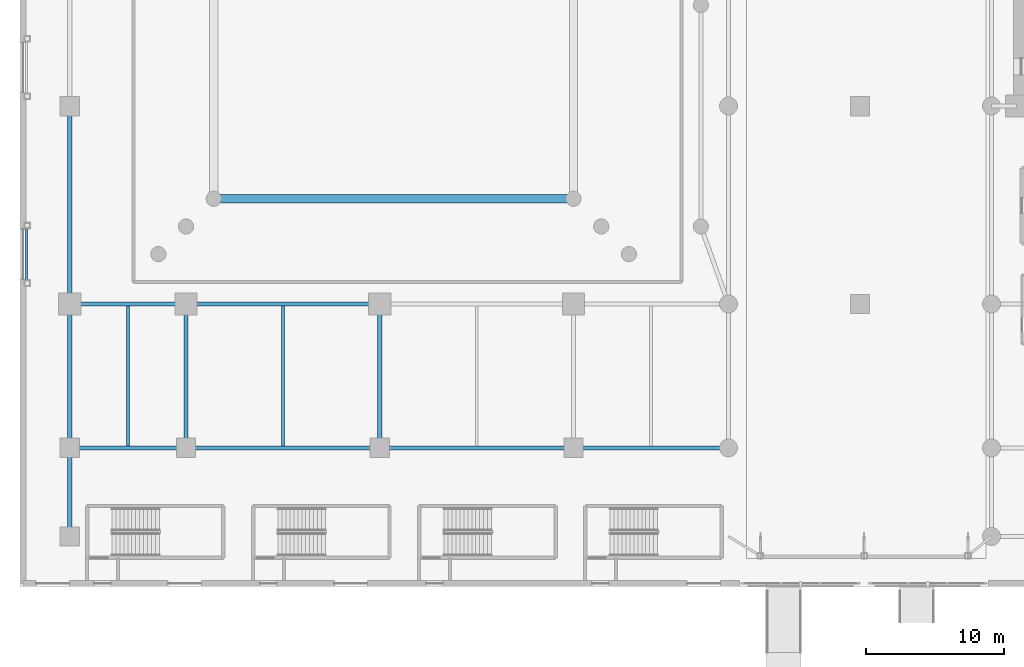
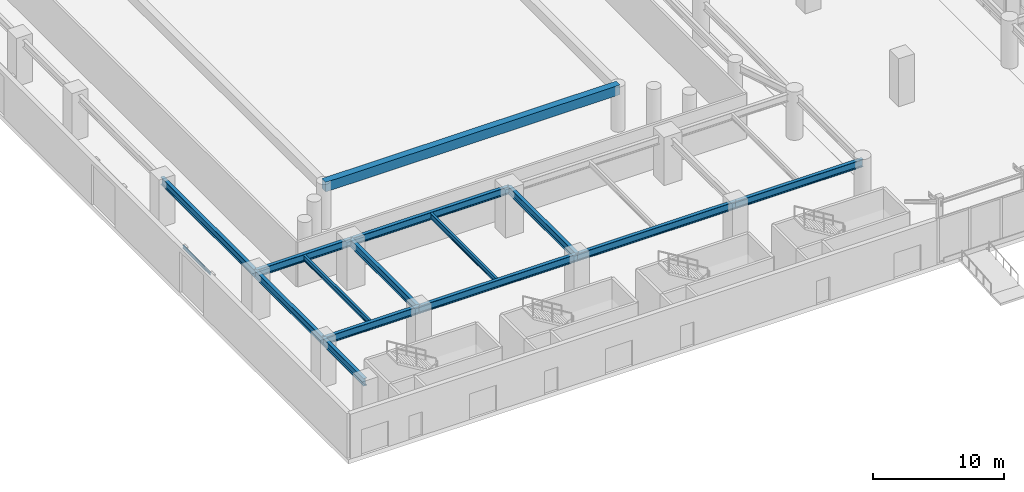
# One storey, part 11 of 42: 15 beams.
"""IFC4 building model written with IfcOpenShell, lengths in metres."""

from ifc_helpers import new_model, si_unit, direction, frame, origin, origin_2d, place, context, subcontext, project, spatial, rectangle, i_section, extrude, material, material_profile, profile_set, type_object, element, save


model = new_model("IFC4")

# Units and contexts
model_context = context("Model", 3, precision=1e-05, world=origin(), true_north=direction((0.0, 1.0)))
body_context = subcontext(model_context, "Body", "Model", "MODEL_VIEW")
ifc_project = project(units=[si_unit("LENGTHUNIT", "METRE"), si_unit("AREAUNIT", "SQUARE_METRE"), si_unit("VOLUMEUNIT", "CUBIC_METRE"), si_unit("PLANEANGLEUNIT", "RADIAN"), si_unit("MASSUNIT", "GRAM", prefix="KILO")], contexts=[model_context])

# Site, building, storey
site_placement = place(None, origin())
site = spatial("IfcSite", under=ifc_project, at=site_placement, CompositionType="ELEMENT")
building_placement = place(site_placement, origin())
building = spatial("IfcBuilding", under=site, at=building_placement, Name="Narakoshi Arena Tower", CompositionType="ELEMENT")
storey_placement = place(building_placement, origin())
storey = spatial("IfcBuildingStorey", under=building, at=storey_placement, Name="L00", CompositionType="ELEMENT", Elevation=0.0)

# Beams
ifc_material_1 = material(Name="Structural steel S355J2", Category="steel")
ifc_material_profile_1 = material_profile(ifc_material_1, i_section(OverallWidth=0.1201171875, OverallDepth=0.239990234375, WebThickness=0.006103515625, FlangeThickness=0.009765625, FilletRadius=0.014892578125, at=origin_2d()), Name="IPE240")
ifc_profile_set_1 = profile_set([ifc_material_profile_1], Name="Structural steel S355J2")
beam_type_1 = type_object("IfcBeamType", Name="BM-LINT-240", PredefinedType="LINTEL", material=ifc_profile_set_1)
beam_1_placement = place(storey_placement, frame((0.469970703125, 26.110107421875, 3.93994140625), z_axis=(0.0, -1.0, 0.0), x_axis=(1.0, 0.0, 0.0)))
element("IfcBeam", 1, at=beam_1_placement, inside=storey, type_object=beam_type_1, Name="L00 Arena Roller-Shutter Steel Lintel 05", PredefinedType="LINTEL", context=body_context, shape_type="SweptSolid", body=[
    extrude(i_section(OverallWidth=0.1201171875, OverallDepth=0.239990234375, WebThickness=0.006103515625, FlangeThickness=0.009765625, FilletRadius=0.014892578125, at=origin_2d()), origin(), (0.0, 0.0, 1.0), 4.239990234375),
])
ifc_material_profile_2 = material_profile(ifc_material_1, i_section(OverallWidth=0.300048828125, OverallDepth=0.699951171875, WebThickness=0.01708984375, FlangeThickness=0.031982421875, FilletRadius=0.027099609375, at=origin_2d()), Name="HE700B")
ifc_profile_set_2 = profile_set([ifc_material_profile_2], Name="Structural steel S355J2")
beam_type_2 = type_object("IfcBeamType", Name="BM-PRI-700", PredefinedType="BEAM", material=ifc_profile_set_2)
beam_2_placement = place(storey_placement, frame((3.60009765625, 10.0, 3.830078125), z_axis=(1.0, 0.0, 0.0), x_axis=(0.0, 1.0, 0.0)))
element("IfcBeam", 2, at=beam_2_placement, inside=storey, type_object=beam_type_2, Name="L00 Podium Primary X-Girder 005", PredefinedType="BEAM", context=body_context, shape_type="SweptSolid", body=[
    extrude(i_section(OverallWidth=0.300048828125, OverallDepth=0.699951171875, WebThickness=0.01708984375, FlangeThickness=0.031982421875, FilletRadius=0.027099609375, at=origin_2d()), origin(), (0.0, 0.0, 1.0), 8.39990234375),
])
for number, where, z_axis, x_axis, name in (
    (3, (12.0, 10.0, 3.830078125), (1.0, 0.0, 0.0), (0.0, 1.0, 0.0), "L00 Podium Primary X-Girder 006"),
    (4, (26.0, 10.0, 3.830078125), (1.0, 0.0, 0.0), (0.0, 1.0, 0.0), "L00 Podium Primary X-Girder 007"),
):
    element("IfcBeam", number, at=place(storey_placement, frame(where, z_axis=z_axis, x_axis=x_axis)), inside=storey, type_object=beam_type_2, Name=name, PredefinedType="BEAM", context=body_context, shape_type="SweptSolid", body=[
        extrude(i_section(OverallWidth=0.300048828125, OverallDepth=0.699951171875, WebThickness=0.01708984375, FlangeThickness=0.031982421875, FilletRadius=0.027099609375, at=origin_2d()), origin(), (0.0, 0.0, 1.0), 14.0),
    ])
beam_3_placement = place(storey_placement, frame((40.0, 10.0, 3.830078125), z_axis=(1.0, 0.0, 0.0), x_axis=(0.0, 1.0, 0.0)))
element("IfcBeam", 5, at=beam_3_placement, inside=storey, type_object=beam_type_2, Name="L00 Podium Primary X-Girder 008", PredefinedType="BEAM", context=body_context, shape_type="SweptSolid", body=[
    extrude(i_section(OverallWidth=0.300048828125, OverallDepth=0.699951171875, WebThickness=0.01708984375, FlangeThickness=0.031982421875, FilletRadius=0.027099609375, at=origin_2d()), origin(), (0.0, 0.0, 1.0), 11.199951171875),
])
beam_4_placement = place(storey_placement, frame((3.60009765625, 20.39990234375, 3.830078125), z_axis=(1.0, 0.0, 0.0), x_axis=(0.0, 1.0, 0.0)))
element("IfcBeam", 6, at=beam_4_placement, inside=storey, type_object=beam_type_2, Name="L00 Podium Primary X-Girder 013", PredefinedType="BEAM", context=body_context, shape_type="SweptSolid", body=[
    extrude(i_section(OverallWidth=0.300048828125, OverallDepth=0.699951171875, WebThickness=0.01708984375, FlangeThickness=0.031982421875, FilletRadius=0.027099609375, at=origin_2d()), origin(), (0.0, 0.0, 1.0), 8.39990234375),
])
beam_5_placement = place(storey_placement, frame((12.0, 20.39990234375, 3.830078125), z_axis=(1.0, 0.0, 0.0), x_axis=(0.0, 1.0, 0.0)))
element("IfcBeam", 7, at=beam_5_placement, inside=storey, type_object=beam_type_2, Name="L00 Podium Primary X-Girder 014", PredefinedType="BEAM", context=body_context, shape_type="SweptSolid", body=[
    extrude(i_section(OverallWidth=0.300048828125, OverallDepth=0.699951171875, WebThickness=0.01708984375, FlangeThickness=0.031982421875, FilletRadius=0.027099609375, at=origin_2d()), origin(), (0.0, 0.0, 1.0), 14.0),
])
beam_6_placement = place(storey_placement, frame((3.60009765625, 3.60009765625, 3.830078125), z_axis=(0.0, 1.0, 0.0), x_axis=(-1.0, 0.0, 0.0)))
element("IfcBeam", 8, at=beam_6_placement, inside=storey, type_object=beam_type_2, Name="L00 Podium Primary Y-Girder 055", PredefinedType="BEAM", context=body_context, shape_type="SweptSolid", body=[
    extrude(i_section(OverallWidth=0.300048828125, OverallDepth=0.699951171875, WebThickness=0.01708984375, FlangeThickness=0.031982421875, FilletRadius=0.027099609375, at=origin_2d()), origin(), (0.0, 0.0, 1.0), 6.39990234375),
])
beam_7_placement = place(storey_placement, frame((3.60009765625, 10.0, 3.830078125), z_axis=(0.0, 1.0, 0.0), x_axis=(-1.0, 0.0, 0.0)))
element("IfcBeam", 9, at=beam_7_placement, inside=storey, type_object=beam_type_2, Name="L00 Podium Primary Y-Girder 056", PredefinedType="BEAM", context=body_context, shape_type="SweptSolid", body=[
    extrude(i_section(OverallWidth=0.300048828125, OverallDepth=0.699951171875, WebThickness=0.01708984375, FlangeThickness=0.031982421875, FilletRadius=0.027099609375, at=origin_2d()), origin(), (0.0, 0.0, 1.0), 10.39990234375),
])
beam_8_placement = place(storey_placement, frame((3.60009765625, 20.39990234375, 3.830078125), z_axis=(0.0, 1.0, 0.0), x_axis=(-1.0, 0.0, 0.0)))
element("IfcBeam", 10, at=beam_8_placement, inside=storey, type_object=beam_type_2, Name="L00 Podium Primary Y-Girder 057", PredefinedType="BEAM", context=body_context, shape_type="SweptSolid", body=[
    extrude(i_section(OverallWidth=0.300048828125, OverallDepth=0.699951171875, WebThickness=0.01708984375, FlangeThickness=0.031982421875, FilletRadius=0.027099609375, at=origin_2d()), origin(), (0.0, 0.0, 1.0), 14.300048828125),
])
for number, where, z_axis, x_axis, name in (
    (11, (12.0, 10.0, 3.830078125), (0.0, 1.0, 0.0), (-1.0, 0.0, 0.0), "L00 Podium Primary Y-Girder 063"),
    (12, (26.0, 10.0, 3.830078125), (0.0, 1.0, 0.0), (-1.0, 0.0, 0.0), "L00 Podium Primary Y-Girder 065"),
):
    element("IfcBeam", number, at=place(storey_placement, frame(where, z_axis=z_axis, x_axis=x_axis)), inside=storey, type_object=beam_type_2, Name=name, PredefinedType="BEAM", context=body_context, shape_type="SweptSolid", body=[
        extrude(i_section(OverallWidth=0.300048828125, OverallDepth=0.699951171875, WebThickness=0.01708984375, FlangeThickness=0.031982421875, FilletRadius=0.027099609375, at=origin_2d()), origin(), (0.0, 0.0, 1.0), 10.39990234375),
    ])
ifc_material_2 = material(Name="Concrete C50/60", Category="concrete")
ifc_material_profile_3 = material_profile(ifc_material_2, rectangle(XDim=0.60009765625, YDim=0.89990234375, at=origin_2d()), Name="RCB600x900")
ifc_profile_set_3 = profile_set([ifc_material_profile_3], Name="Concrete C50/60")
beam_type_3 = type_object("IfcBeamType", Name="BM-RC-900", PredefinedType="BEAM", material=ifc_profile_set_3)
beam_9_placement = place(storey_placement, frame((14.0, 28.0, 3.77001953125), z_axis=(1.0, 0.0, 0.0), x_axis=(0.0, 1.0, 0.0)))
element("IfcBeam", 13, at=beam_9_placement, inside=storey, type_object=beam_type_3, Name="L00 Arena Bowl Concrete Ring Beam 1", PredefinedType="BEAM", context=body_context, shape_type="SweptSolid", body=[
    extrude(rectangle(XDim=0.60009765625, YDim=0.89990234375, at=origin_2d()), origin(), (0.0, 0.0, 1.0), 26.0),
])
ifc_material_profile_4 = material_profile(ifc_material_1, i_section(OverallWidth=0.199951171875, OverallDepth=0.5, WebThickness=0.01025390625, FlangeThickness=0.01611328125, FilletRadius=0.02099609375, at=origin_2d()), Name="IPE500")
ifc_profile_set_4 = profile_set([ifc_material_profile_4], Name="Structural steel S355J2")
beam_type_4 = type_object("IfcBeamType", Name="BM-SEC-500", PredefinedType="JOIST", material=ifc_profile_set_4)
for number, where, z_axis, x_axis, name in (
    (14, (7.800048828125, 10.135009765625, 3.929931640625), (0.0, 1.0, 0.0), (-1.0, 0.0, 0.0), "L00 Podium Composite Floor Joist 001"),
    (15, (19.0, 10.135009765625, 3.929931640625), (0.0, 1.0, 0.0), (-1.0, 0.0, 0.0), "L00 Podium Composite Floor Joist 003"),
):
    element("IfcBeam", number, at=place(storey_placement, frame(where, z_axis=z_axis, x_axis=x_axis)), inside=storey, type_object=beam_type_4, Name=name, PredefinedType="JOIST", context=body_context, shape_type="SweptSolid", body=[
        extrude(i_section(OverallWidth=0.199951171875, OverallDepth=0.5, WebThickness=0.01025390625, FlangeThickness=0.01611328125, FilletRadius=0.02099609375, at=origin_2d()), origin(), (0.0, 0.0, 1.0), 10.1298828125),
    ])

save(model, "model.ifc")
